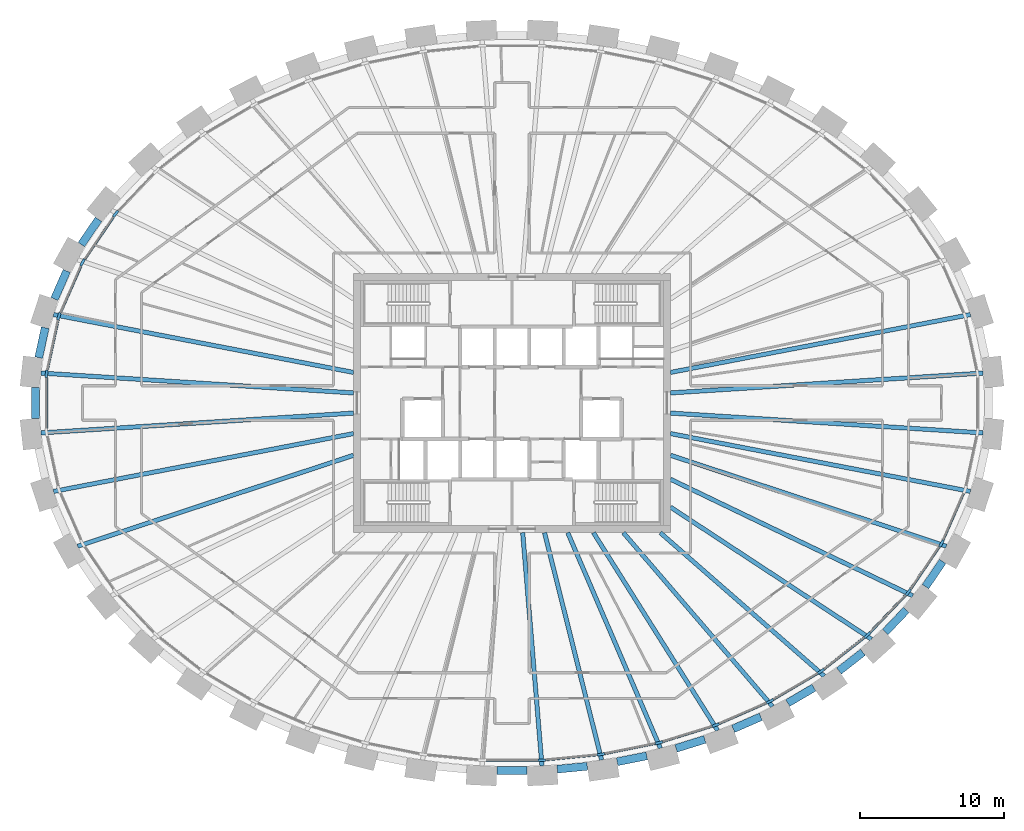
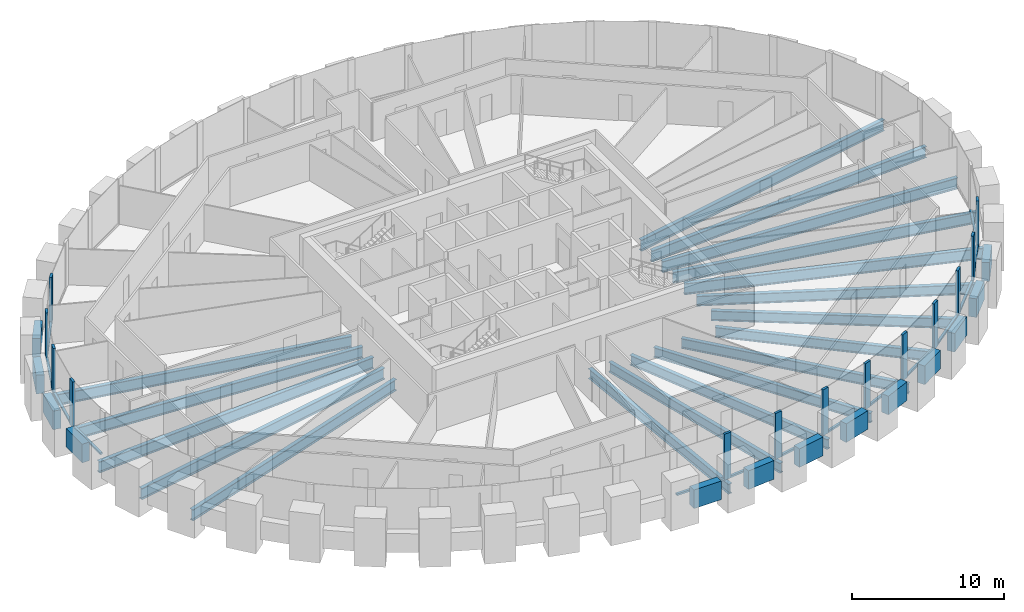
# One storey, part 2 of 12: 31 beams, 27 members, 1 element without a shape of its own.
"""IFC4 building model written with IfcOpenShell, lengths in metres."""

from ifc_helpers import new_model, si_unit, direction, frame, origin, origin_2d, place, context, subcontext, project, spatial, rectangle, i_section, extrude, source, transform, mapped, material, material_profile, profile_set, type_object, element, aggregate, save


model = new_model("IFC4")

# Units and contexts
model_context = context("Model", 3, precision=1e-05, world=origin(), true_north=direction((0.0, 1.0)))
body_context = subcontext(model_context, "Body", "Model", "MODEL_VIEW")
ifc_project = project(units=[si_unit("LENGTHUNIT", "METRE"), si_unit("AREAUNIT", "SQUARE_METRE"), si_unit("VOLUMEUNIT", "CUBIC_METRE"), si_unit("PLANEANGLEUNIT", "RADIAN"), si_unit("MASSUNIT", "GRAM", prefix="KILO")], contexts=[model_context])

# Site, building, storey
site_placement = place(None, origin())
site = spatial("IfcSite", under=ifc_project, at=site_placement, CompositionType="ELEMENT")
building_placement = place(site_placement, origin())
building = spatial("IfcBuilding", under=site, at=building_placement, Name="Embergate Tower", CompositionType="ELEMENT")
storey_placement = place(building_placement, frame((0.0, 0.0, 246.10009765625)))
storey = spatial("IfcBuildingStorey", under=building, at=storey_placement, Name="L56", CompositionType="ELEMENT", Elevation=246.10009765625)

# Beams
ifc_material_1 = material(Name="Concrete C60", Category="concrete")
ifc_material_profile_1 = material_profile(ifc_material_1, rectangle(XDim=0.550048828125, YDim=1.5, at=origin_2d()), Name="RC 550x1500")
ifc_profile_set_1 = profile_set([ifc_material_profile_1], Name="Concrete C60")
beam_type_1 = type_object("IfcBeamType", Name="Spandrel beam RC 550x1500 C60", PredefinedType="BEAM", material=ifc_profile_set_1)
shared_shape_1 = source(origin(), body_context, "Body", "SweptSolid", [
    extrude(rectangle(XDim=0.550048828125, YDim=1.5, at=origin_2d()), origin(), (0.0, 0.0, 1.0), 2.121337890625),
])
beam_1_placement = place(storey_placement, frame((-32.39990234375, 5.222900390625, 0.0), z_axis=(-0.210259959119, -0.977645513257, 0.0), x_axis=(0.977645513257, -0.210259959119, 0.0)))
element("IfcBeam", 1, at=beam_1_placement, inside=storey, type_object=beam_type_1, Name="SPN-L56-20", PredefinedType="BEAM", context=body_context, shape_type="MappedRepresentation", body=[
    mapped(shared_shape_1, transform((0.0, 0.0, 0.0))),
])
shared_shape_2 = source(origin(), body_context, "Body", "SweptSolid", [
    extrude(rectangle(XDim=0.550048828125, YDim=1.5, at=origin_2d()), origin(), (0.0, 0.0, 1.0), 2.118408203125),
])
beam_2_placement = place(storey_placement, frame((-30.903076171875, 9.160888671875, 0.0), z_axis=(-0.401653016285, -0.915791927519, 0.0), x_axis=(0.915791927519, -0.401653016285, 0.0)))
element("IfcBeam", 2, at=beam_2_placement, inside=storey, type_object=beam_type_1, Name="SPN-L56-19", PredefinedType="BEAM", context=body_context, shape_type="MappedRepresentation", body=[
    mapped(shared_shape_2, transform((0.0, 0.0, 0.0))),
])
shared_shape_3 = source(origin(), body_context, "Body", "SweptSolid", [
    extrude(rectangle(XDim=0.550048828125, YDim=1.5, at=origin_2d()), origin(), (0.0, 0.0, 1.0), 2.113525390625),
])
for number, where, z_axis, x_axis, name in (
    (3, (-28.697998046875, 12.74609375, 0.0), (-0.562088832066, -0.827076867569, 0.0), (0.827076867569, -0.562088832066, 0.0), "SPN-L56-18"),
    (4, (28.697998046875, -12.74609375, 0.0), (0.562088832066, 0.827076867569, 0.0), (-0.827076867569, 0.562088832066, 0.0), "SPN-L56-40"),
):
    element("IfcBeam", number, at=place(storey_placement, frame(where, z_axis=z_axis, x_axis=x_axis)), inside=storey, type_object=beam_type_1, Name=name, PredefinedType="BEAM", context=body_context, shape_type="MappedRepresentation", body=[
        mapped(shared_shape_3, transform((0.0, 0.0, 0.0))),
    ])
shared_shape_4 = source(origin(), body_context, "Body", "SweptSolid", [
    extrude(rectangle(XDim=0.550048828125, YDim=1.5, at=origin_2d()), origin(), (0.0, 0.0, 1.0), 2.1064453125),
])
beam_3_placement = place(storey_placement, frame((25.907958984375, -15.89111328125, 0.0), z_axis=(0.690280012813, 0.723542330421, 0.0), x_axis=(-0.723542330421, 0.690280012813, 0.0)))
element("IfcBeam", 5, at=beam_3_placement, inside=storey, type_object=beam_type_1, Name="SPN-L56-39", PredefinedType="BEAM", context=body_context, shape_type="MappedRepresentation", body=[
    mapped(shared_shape_4, transform((0.0, 0.0, 0.0))),
])
shared_shape_5 = source(origin(), body_context, "Body", "SweptSolid", [
    extrude(rectangle(XDim=0.550048828125, YDim=1.5, at=origin_2d()), origin(), (0.0, 0.0, 1.0), 2.101806640625),
])
beam_4_placement = place(storey_placement, frame((22.695068359375, -18.593994140625, 0.0), z_axis=(0.78838173926, 0.615186340227, 0.0), x_axis=(-0.615186340227, 0.78838173926, 0.0)))
element("IfcBeam", 6, at=beam_4_placement, inside=storey, type_object=beam_type_1, Name="SPN-L56-38", PredefinedType="BEAM", context=body_context, shape_type="MappedRepresentation", body=[
    mapped(shared_shape_5, transform((0.0, 0.0, 0.0))),
])
shared_shape_6 = source(origin(), body_context, "Body", "SweptSolid", [
    extrude(rectangle(XDim=0.550048828125, YDim=1.5, at=origin_2d()), origin(), (0.0, 0.0, 1.0), 2.097412109375),
])
beam_5_placement = place(storey_placement, frame((19.138916015625, -20.821044921875, 0.0), z_axis=(0.862059864985, 0.506806461267, 0.0), x_axis=(-0.506806461267, 0.862059864985, 0.0)))
element("IfcBeam", 7, at=beam_5_placement, inside=storey, type_object=beam_type_1, Name="SPN-L56-37", PredefinedType="BEAM", context=body_context, shape_type="MappedRepresentation", body=[
    mapped(shared_shape_6, transform((0.0, 0.0, 0.0))),
])
shared_shape_7 = source(origin(), body_context, "Body", "SweptSolid", [
    extrude(rectangle(XDim=0.550048828125, YDim=1.5, at=origin_2d()), origin(), (0.0, 0.0, 1.0), 2.093994140625),
])
beam_6_placement = place(storey_placement, frame((15.35009765625, -22.614013671875, 0.0), z_axis=(0.916403340616, 0.400256064674, 0.0), x_axis=(-0.400256064674, 0.916403340616, 0.0)))
element("IfcBeam", 8, at=beam_6_placement, inside=storey, type_object=beam_type_1, Name="SPN-L56-36", PredefinedType="BEAM", context=body_context, shape_type="MappedRepresentation", body=[
    mapped(shared_shape_7, transform((0.0, 0.0, 0.0))),
])
shared_shape_8 = source(origin(), body_context, "Body", "SweptSolid", [
    extrude(rectangle(XDim=0.550048828125, YDim=1.5, at=origin_2d()), origin(), (0.0, 0.0, 1.0), 2.092529296875),
])
beam_7_placement = place(storey_placement, frame((11.385009765625, -23.969970703125, 0.0), z_axis=(0.954794982035, 0.297265104378, 0.0), x_axis=(-0.297265104378, 0.954794982035, 0.0)))
element("IfcBeam", 9, at=beam_7_placement, inside=storey, type_object=beam_type_1, Name="SPN-L56-35", PredefinedType="BEAM", context=body_context, shape_type="MappedRepresentation", body=[
    mapped(shared_shape_8, transform((0.0, 0.0, 0.0))),
])
shared_shape_9 = source(origin(), body_context, "Body", "SweptSolid", [
    extrude(rectangle(XDim=0.550048828125, YDim=1.5, at=origin_2d()), origin(), (0.0, 0.0, 1.0), 2.0908203125),
])
beam_8_placement = place(storey_placement, frame((7.300048828125, -24.90087890625, 0.0), z_axis=(0.980499753095, 0.196520314929, 0.0), x_axis=(-0.196520314929, 0.980499753095, 0.0)))
element("IfcBeam", 10, at=beam_8_placement, inside=storey, type_object=beam_type_1, Name="SPN-L56-34", PredefinedType="BEAM", context=body_context, shape_type="MappedRepresentation", body=[
    mapped(shared_shape_9, transform((0.0, 0.0, 0.0))),
])
shared_shape_10 = source(origin(), body_context, "Body", "SweptSolid", [
    extrude(rectangle(XDim=0.550048828125, YDim=1.5, at=origin_2d()), origin(), (0.0, 0.0, 1.0), 2.08984375),
])
for number, where, z_axis, x_axis, name in (
    (11, (-1.044921875, -25.51806640625, 0.0), (1.0, 0.0, 0.0), (0.0, 1.0, 0.0), "SPN-L56-32"),
    (12, (3.14306640625, -25.4150390625, 0.0), (0.995219400888, 0.097664446431, 0.0), (-0.097664446431, 0.995219400888, 0.0), "SPN-L56-33"),
):
    element("IfcBeam", number, at=place(storey_placement, frame(where, z_axis=z_axis, x_axis=x_axis)), inside=storey, type_object=beam_type_1, Name=name, PredefinedType="BEAM", context=body_context, shape_type="MappedRepresentation", body=[
        mapped(shared_shape_10, transform((0.0, 0.0, 0.0))),
    ])
shared_shape_11 = source(origin(), body_context, "Body", "SweptSolid", [
    extrude(rectangle(XDim=0.550048828125, YDim=1.5, at=origin_2d()), origin(), (0.0, 0.0, 1.0), 2.1220703125),
])
beam_9_placement = place(storey_placement, frame((-33.068115234375, 1.06103515625, 0.0), z_axis=(0.0, -1.0, 0.0), x_axis=(1.0, 0.0, 0.0)))
element("IfcBeam", 13, at=beam_9_placement, inside=storey, type_object=beam_type_1, Name="SPN-L56-21", PredefinedType="BEAM", context=body_context, shape_type="MappedRepresentation", body=[
    mapped(shared_shape_11, transform((0.0, 0.0, 0.0))),
])
ifc_material_2 = material(Name="Steel Q355B", Category="steel")
ifc_material_profile_2 = material_profile(ifc_material_2, i_section(OverallWidth=0.300048828125, OverallDepth=0.89990234375, WebThickness=0.01611328125, FlangeThickness=0.028076171875, FilletRadius=0.028076171875, at=origin_2d()), Name="HN 900x300x16x28")
ifc_profile_set_2 = profile_set([ifc_material_profile_2], Name="Steel Q355 grade B")
beam_type_2 = type_object("IfcBeamType", Name="Radial girder HN 900x300x16x28", PredefinedType="BEAM", material=ifc_profile_set_2)
shared_shape_12 = source(origin(), body_context, "Body", "SweptSolid", [
    extrude(i_section(OverallWidth=0.300048828125, OverallDepth=0.89990234375, WebThickness=0.01611328125, FlangeThickness=0.028076171875, FilletRadius=0.028076171875, at=origin_2d()), origin(), (0.0, 0.0, 1.0), 21.73681640625),
])
for number, where, z_axis, x_axis, name in (
    (14, (32.693115234375, 2.076904296875, -0.650146484375), (-0.997988738626, -0.063391462954, 0.0), (0.063391462954, -0.997988738626, 0.0), "GIR-L56-00"),
    (15, (-32.693115234375, 2.076904296875, -0.650146484375), (0.997988738626, -0.063391462954, 0.0), (0.063391462954, 0.997988738626, 0.0), "GIR-L56-21"),
    (16, (-32.693115234375, -2.076904296875, -0.650146484375), (0.997988738626, 0.063391462954, 0.0), (-0.063391462954, 0.997988738626, 0.0), "GIR-L56-22"),
    (17, (32.693115234375, -2.076904296875, -0.650146484375), (-0.997988738626, 0.063391462954, 0.0), (-0.063391462954, -0.997988738626, 0.0), "GIR-L56-43"),
):
    element("IfcBeam", number, at=place(storey_placement, frame(where, z_axis=z_axis, x_axis=x_axis)), inside=storey, type_object=beam_type_2, Name=name, PredefinedType="BEAM", context=body_context, shape_type="MappedRepresentation", body=[
        mapped(shared_shape_12, transform((0.0, 0.0, 0.0))),
    ])
shared_shape_13 = source(origin(), body_context, "Body", "SweptSolid", [
    extrude(i_section(OverallWidth=0.300048828125, OverallDepth=0.89990234375, WebThickness=0.01611328125, FlangeThickness=0.028076171875, FilletRadius=0.028076171875, at=origin_2d()), origin(), (0.0, 0.0, 1.0), 21.202880859375),
])
for number, where, z_axis, x_axis, name in (
    (18, (31.819091796875, 6.137939453125, -0.650146484375), (-0.981899604509, -0.189402129517, 0.0), (0.189402129517, -0.981899604509, 0.0), "GIR-L56-01"),
    (19, (-31.819091796875, 6.137939453125, -0.650146484375), (0.981899604509, -0.189402129517, 0.0), (0.189402129517, 0.981899604509, 0.0), "GIR-L56-20"),
    (20, (-31.819091796875, -6.137939453125, -0.650146484375), (0.981899604509, 0.189402129517, 0.0), (-0.189402129517, 0.981899604509, 0.0), "GIR-L56-23"),
    (21, (31.819091796875, -6.137939453125, -0.650146484375), (-0.981899604509, 0.189402129517, 0.0), (-0.189402129517, -0.981899604509, 0.0), "GIR-L56-42"),
):
    element("IfcBeam", number, at=place(storey_placement, frame(where, z_axis=z_axis, x_axis=x_axis)), inside=storey, type_object=beam_type_2, Name=name, PredefinedType="BEAM", context=body_context, shape_type="MappedRepresentation", body=[
        mapped(shared_shape_13, transform((0.0, 0.0, 0.0))),
    ])
shared_shape_14 = source(origin(), body_context, "Body", "SweptSolid", [
    extrude(i_section(OverallWidth=0.300048828125, OverallDepth=0.89990234375, WebThickness=0.01611328125, FlangeThickness=0.028076171875, FilletRadius=0.028076171875, at=origin_2d()), origin(), (0.0, 0.0, 1.0), 20.164306640625),
])
for number, where, z_axis, x_axis, name in (
    (22, (-30.14990234375, -9.943115234375, -0.650146484375), (0.949691828374, 0.313185936976, 0.0), (-0.313185936976, 0.949691828374, 0.0), "GIR-L56-24"),
    (23, (30.14990234375, -9.943115234375, -0.650146484375), (-0.949691828374, 0.313185936976, 0.0), (-0.313185936976, -0.949691828374, 0.0), "GIR-L56-41"),
):
    element("IfcBeam", number, at=place(storey_placement, frame(where, z_axis=z_axis, x_axis=x_axis)), inside=storey, type_object=beam_type_2, Name=name, PredefinedType="BEAM", context=body_context, shape_type="MappedRepresentation", body=[
        mapped(shared_shape_14, transform((0.0, 0.0, 0.0))),
    ])
ifc_material_profile_3 = material_profile(ifc_material_2, i_section(OverallWidth=0.300048828125, OverallDepth=0.800048828125, WebThickness=0.013916015625, FlangeThickness=0.02587890625, FilletRadius=0.028076171875, at=origin_2d()), Name="HN 800x300x14x26")
ifc_profile_set_3 = profile_set([ifc_material_profile_3], Name="Steel Q355 grade B")
beam_type_3 = type_object("IfcBeamType", Name="Radial girder HN 800x300x14x26", PredefinedType="BEAM", material=ifc_profile_set_3)
shared_shape_15 = source(origin(), body_context, "Body", "SweptSolid", [
    extrude(i_section(OverallWidth=0.300048828125, OverallDepth=0.800048828125, WebThickness=0.013916015625, FlangeThickness=0.02587890625, FilletRadius=0.028076171875, at=origin_2d()), origin(), (0.0, 0.0, 1.0), 18.6572265625),
])
beam_10_placement = place(storey_placement, frame((27.81298828125, -13.3798828125, -0.60009765625), z_axis=(-0.901153541631, 0.433500051218, 0.0), x_axis=(-0.433500051218, -0.901153541631, 0.0)))
element("IfcBeam", 24, at=beam_10_placement, inside=storey, type_object=beam_type_3, Name="GIR-L56-40", PredefinedType="BEAM", context=body_context, shape_type="MappedRepresentation", body=[
    mapped(shared_shape_15, transform((0.0, 0.0, 0.0))),
])
shared_shape_16 = source(origin(), body_context, "Body", "SweptSolid", [
    extrude(i_section(OverallWidth=0.300048828125, OverallDepth=0.800048828125, WebThickness=0.013916015625, FlangeThickness=0.02587890625, FilletRadius=0.028076171875, at=origin_2d()), origin(), (0.0, 0.0, 1.0), 16.683349609375),
])
beam_11_placement = place(storey_placement, frame((24.943115234375, -16.387939453125, -0.60009765625), z_axis=(-0.835753065735, 0.549105466295, 0.0), x_axis=(-0.549105466295, -0.835753065735, 0.0)))
element("IfcBeam", 25, at=beam_11_placement, inside=storey, type_object=beam_type_3, Name="GIR-L56-39", PredefinedType="BEAM", context=body_context, shape_type="MappedRepresentation", body=[
    mapped(shared_shape_16, transform((0.0, 0.0, 0.0))),
])
shared_shape_17 = source(origin(), body_context, "Body", "SweptSolid", [
    extrude(i_section(OverallWidth=0.300048828125, OverallDepth=0.800048828125, WebThickness=0.013916015625, FlangeThickness=0.02587890625, FilletRadius=0.028076171875, at=origin_2d()), origin(), (0.0, 0.0, 1.0), 15.11083984375),
])
beam_12_placement = place(storey_placement, frame((21.666015625, -18.947021484375, -0.60009765625), z_axis=(-0.752776832469, 0.658275808836, 0.0), x_axis=(-0.658275808836, -0.752776832469, 0.0)))
element("IfcBeam", 26, at=beam_12_placement, inside=storey, type_object=beam_type_3, Name="GIR-L56-38", PredefinedType="BEAM", context=body_context, shape_type="MappedRepresentation", body=[
    mapped(shared_shape_17, transform((0.0, 0.0, 0.0))),
])
shared_shape_18 = source(origin(), body_context, "Body", "SweptSolid", [
    extrude(i_section(OverallWidth=0.300048828125, OverallDepth=0.800048828125, WebThickness=0.013916015625, FlangeThickness=0.02587890625, FilletRadius=0.028076171875, at=origin_2d()), origin(), (0.0, 0.0, 1.0), 15.889892578125),
])
beam_13_placement = place(storey_placement, frame((18.080078125, -21.054931640625, -0.60009765625), z_axis=(-0.651489554498, 0.75865760418, 0.0), x_axis=(-0.75865760418, -0.651489554498, 0.0)))
element("IfcBeam", 27, at=beam_13_placement, inside=storey, type_object=beam_type_3, Name="GIR-L56-37", PredefinedType="BEAM", context=body_context, shape_type="MappedRepresentation", body=[
    mapped(shared_shape_18, transform((0.0, 0.0, 0.0))),
])
shared_shape_19 = source(origin(), body_context, "Body", "SweptSolid", [
    extrude(i_section(OverallWidth=0.300048828125, OverallDepth=0.800048828125, WebThickness=0.013916015625, FlangeThickness=0.02587890625, FilletRadius=0.028076171875, at=origin_2d()), origin(), (0.0, 0.0, 1.0), 16.202880859375),
])
beam_14_placement = place(storey_placement, frame((14.27001953125, -22.720947265625, -0.60009765625), z_axis=(-0.531876197459, 0.84682212452, 0.0), x_axis=(-0.84682212452, -0.531876197459, 0.0)))
element("IfcBeam", 28, at=beam_14_placement, inside=storey, type_object=beam_type_3, Name="GIR-L56-36", PredefinedType="BEAM", context=body_context, shape_type="MappedRepresentation", body=[
    mapped(shared_shape_19, transform((0.0, 0.0, 0.0))),
])
shared_shape_20 = source(origin(), body_context, "Body", "SweptSolid", [
    extrude(i_section(OverallWidth=0.300048828125, OverallDepth=0.800048828125, WebThickness=0.013916015625, FlangeThickness=0.02587890625, FilletRadius=0.028076171875, at=origin_2d()), origin(), (0.0, 0.0, 1.0), 16.281494140625),
])
beam_15_placement = place(storey_placement, frame((10.299072265625, -23.9580078125, -0.60009765625), z_axis=(-0.394936126448, 0.918708580577, 0.0), x_axis=(-0.918708580577, -0.394936126448, 0.0)))
element("IfcBeam", 29, at=beam_15_placement, inside=storey, type_object=beam_type_3, Name="GIR-L56-35", PredefinedType="BEAM", context=body_context, shape_type="MappedRepresentation", body=[
    mapped(shared_shape_20, transform((0.0, 0.0, 0.0))),
])
shared_shape_21 = source(origin(), body_context, "Body", "SweptSolid", [
    extrude(i_section(OverallWidth=0.300048828125, OverallDepth=0.800048828125, WebThickness=0.013916015625, FlangeThickness=0.02587890625, FilletRadius=0.028076171875, at=origin_2d()), origin(), (0.0, 0.0, 1.0), 16.265625),
])
beam_16_placement = place(storey_placement, frame((6.219970703125, -24.77587890625, -0.60009765625), z_axis=(-0.243517311552, 0.969896550656, 0.0), x_axis=(-0.969896550656, -0.243517311552, 0.0)))
element("IfcBeam", 30, at=beam_16_placement, inside=storey, type_object=beam_type_3, Name="GIR-L56-34", PredefinedType="BEAM", context=body_context, shape_type="MappedRepresentation", body=[
    mapped(shared_shape_21, transform((0.0, 0.0, 0.0))),
])
shared_shape_22 = source(origin(), body_context, "Body", "SweptSolid", [
    extrude(i_section(OverallWidth=0.300048828125, OverallDepth=0.800048828125, WebThickness=0.013916015625, FlangeThickness=0.02587890625, FilletRadius=0.028076171875, at=origin_2d()), origin(), (0.0, 0.0, 1.0), 16.23828125),
])
beam_17_placement = place(storey_placement, frame((2.080078125, -25.18310546875, -0.60009765625), z_axis=(-0.082346180741, 0.996603786124, 0.0), x_axis=(-0.996603786124, -0.082346180741, 0.0)))
element("IfcBeam", 31, at=beam_17_placement, inside=storey, type_object=beam_type_3, Name="GIR-L56-33", PredefinedType="BEAM", context=body_context, shape_type="MappedRepresentation", body=[
    mapped(shared_shape_22, transform((0.0, 0.0, 0.0))),
])

# Curtain wall, members
ifc_material_3 = material(Name="Aluminium and glass", Category="aluminium")
curtain_wall_type = type_object("IfcCurtainWallType", Name="Recessed office glazing", PredefinedType="NOTDEFINED", material=ifc_material_3)
curtain_wall_placement = place(storey_placement, origin())
curtain_wall = element("IfcCurtainWall", 32, at=curtain_wall_placement, inside=storey, type_object=curtain_wall_type, Name="Recessed office glazing ring", ObjectType="RECESSED OFFICE GLAZING", PredefinedType="USERDEFINED")
ifc_material_4 = material(Name="Aluminium, thermally broken", Category="aluminium")
ifc_material_profile_4 = material_profile(ifc_material_4, rectangle(XDim=0.179931640625, YDim=0.52001953125, at=origin_2d()), Name="AL 520x180")
ifc_profile_set_4 = profile_set([ifc_material_profile_4], Name="Aluminium, thermally broken")
member_type_1 = type_object("IfcMemberType", Name="Office mullion", PredefinedType="MULLION", material=ifc_profile_set_4)
shared_shape_23 = source(origin(), body_context, "Body", "SweptSolid", [
    extrude(rectangle(XDim=0.179931640625, YDim=0.52001953125, at=origin_2d()), origin(), (0.0, 0.0, 1.0), 3.699951171875),
])
member_1_placement = place(storey_placement, frame((-27.51025390625, 13.134033203125, 0.0), z_axis=(0.0, 0.0, 1.0), x_axis=(0.777868177123, -0.628427481114, 0.0)))
member_1 = element("IfcMember", 33, at=member_1_placement, type_object=member_type_1, Name="CW mullion 19", PredefinedType="MULLION", context=body_context, shape_type="MappedRepresentation", body=[
    mapped(shared_shape_23, transform((0.0, 0.0, 0.0))),
])
member_2_placement = place(storey_placement, frame((-29.809326171875, 9.753173828125, 0.0), z_axis=(0.0, 0.0, 1.0), x_axis=(0.874997671059, -0.484127127562, 0.0)))
member_2 = element("IfcMember", 34, at=member_2_placement, type_object=member_type_1, Name="CW mullion 20", PredefinedType="MULLION", context=body_context, shape_type="MappedRepresentation", body=[
    mapped(shared_shape_23, transform((0.0, 0.0, 0.0))),
])
member_3_placement = place(storey_placement, frame((-31.447998046875, 6.01708984375, 0.0), z_axis=(0.0, 0.0, 1.0), x_axis=(0.951495650128, -0.307662197527, 0.0)))
member_3 = element("IfcMember", 35, at=member_3_placement, type_object=member_type_1, Name="CW mullion 21", PredefinedType="MULLION", context=body_context, shape_type="MappedRepresentation", body=[
    mapped(shared_shape_23, transform((0.0, 0.0, 0.0))),
])
member_4_placement = place(storey_placement, frame((-32.304931640625, 2.03515625, 0.0), z_axis=(0.0, 0.0, 1.0), x_axis=(0.994384585337, -0.105826728403, 0.0)))
member_4 = element("IfcMember", 36, at=member_4_placement, type_object=member_type_1, Name="CW mullion 22", PredefinedType="MULLION", context=body_context, shape_type="MappedRepresentation", body=[
    mapped(shared_shape_23, transform((0.0, 0.0, 0.0))),
])
member_5_placement = place(storey_placement, frame((2.060791015625, -24.793701171875, 0.0), z_axis=(0.0, 0.0, 1.0), x_axis=(-0.048971796621, 0.998800161762, 0.0)))
member_5 = element("IfcMember", 37, at=member_5_placement, type_object=member_type_1, Name="CW mullion 34", PredefinedType="MULLION", context=body_context, shape_type="MappedRepresentation", body=[
    mapped(shared_shape_23, transform((0.0, 0.0, 0.0))),
])
member_6_placement = place(storey_placement, frame((6.16259765625, -24.390380859375, 0.0), z_axis=(0.0, 0.0, 1.0), x_axis=(-0.147412382818, 0.989075118174, 0.0)))
member_6 = element("IfcMember", 38, at=member_6_placement, type_object=member_type_1, Name="CW mullion 35", PredefinedType="MULLION", context=body_context, shape_type="MappedRepresentation", body=[
    mapped(shared_shape_23, transform((0.0, 0.0, 0.0))),
])
member_7_placement = place(storey_placement, frame((10.2021484375, -23.580322265625, 0.0), z_axis=(0.0, 0.0, 1.0), x_axis=(-0.24731188137, 0.968935928394, 0.0)))
member_7 = element("IfcMember", 39, at=member_7_placement, type_object=member_type_1, Name="CW mullion 36", PredefinedType="MULLION", context=body_context, shape_type="MappedRepresentation", body=[
    mapped(shared_shape_23, transform((0.0, 0.0, 0.0))),
])
member_8_placement = place(storey_placement, frame((14.1337890625, -22.35595703125, 0.0), z_axis=(0.0, 0.0, 1.0), x_axis=(-0.349502682851, 0.936935363128, 0.0)))
member_8 = element("IfcMember", 40, at=member_8_placement, type_object=member_type_1, Name="CW mullion 37", PredefinedType="MULLION", context=body_context, shape_type="MappedRepresentation", body=[
    mapped(shared_shape_23, transform((0.0, 0.0, 0.0))),
])
member_9_placement = place(storey_placement, frame((17.904052734375, -20.707275390625, 0.0), z_axis=(0.0, 0.0, 1.0), x_axis=(-0.454509825889, 0.890741723605, 0.0)))
member_9 = element("IfcMember", 41, at=member_9_placement, type_object=member_type_1, Name="CW mullion 38", PredefinedType="MULLION", context=body_context, shape_type="MappedRepresentation", body=[
    mapped(shared_shape_23, transform((0.0, 0.0, 0.0))),
])
member_10_placement = place(storey_placement, frame((21.447265625, -18.624267578125, 0.0), z_axis=(0.0, 0.0, 1.0), x_axis=(-0.562214731803, 0.826991290972, 0.0)))
member_10 = element("IfcMember", 42, at=member_10_placement, type_object=member_type_1, Name="CW mullion 39", PredefinedType="MULLION", context=body_context, shape_type="MappedRepresentation", body=[
    mapped(shared_shape_23, transform((0.0, 0.0, 0.0))),
])
member_11_placement = place(storey_placement, frame((24.682861328125, -16.098876953125, 0.0), z_axis=(0.0, 0.0, 1.0), x_axis=(-0.671223946494, 0.741254621337, 0.0)))
member_11 = element("IfcMember", 43, at=member_11_placement, type_object=member_type_1, Name="CW mullion 40", PredefinedType="MULLION", context=body_context, shape_type="MappedRepresentation", body=[
    mapped(shared_shape_23, transform((0.0, 0.0, 0.0))),
])
member_12_placement = place(storey_placement, frame((27.51025390625, -13.134033203125, 0.0), z_axis=(0.0, 0.0, 1.0), x_axis=(-0.777868177123, 0.628427481114, 0.0)))
member_12 = element("IfcMember", 44, at=member_12_placement, type_object=member_type_1, Name="CW mullion 41", PredefinedType="MULLION", context=body_context, shape_type="MappedRepresentation", body=[
    mapped(shared_shape_23, transform((0.0, 0.0, 0.0))),
])
member_13_placement = place(storey_placement, frame((29.809326171875, -9.753173828125, 0.0), z_axis=(0.0, 0.0, 1.0), x_axis=(-0.874997671059, 0.484127127562, 0.0)))
member_13 = element("IfcMember", 45, at=member_13_placement, type_object=member_type_1, Name="CW mullion 42", PredefinedType="MULLION", context=body_context, shape_type="MappedRepresentation", body=[
    mapped(shared_shape_23, transform((0.0, 0.0, 0.0))),
])
ifc_material_profile_5 = material_profile(ifc_material_4, rectangle(XDim=0.179931640625, YDim=0.14990234375, at=origin_2d()), Name="AL 150x180")
ifc_profile_set_5 = profile_set([ifc_material_profile_5], Name="Aluminium, thermally broken")
member_type_2 = type_object("IfcMemberType", Name="Office sill transom", PredefinedType="USERDEFINED", material=ifc_profile_set_5)
shared_shape_24 = source(origin(), body_context, "Body", "SweptSolid", [
    extrude(rectangle(XDim=0.179931640625, YDim=0.14990234375, at=origin_2d()), origin(), (0.0, 0.0, 1.0), 3.552978515625),
])
member_14_placement = place(storey_placement, frame((-31.502685546875, 5.7626953125, 0.074951171875), z_axis=(-0.210406550267, -0.977613974739, 0.0), x_axis=(0.977613974739, -0.210406550267, 0.0)))
member_14 = element("IfcMember", 46, at=member_14_placement, type_object=member_type_2, Name="CW transom 21.1", ObjectType="TRANSOM", PredefinedType="USERDEFINED", context=body_context, shape_type="MappedRepresentation", body=[
    mapped(shared_shape_24, transform((0.0, 0.0, 0.0))),
])
shared_shape_25 = source(origin(), body_context, "Body", "SweptSolid", [
    extrude(rectangle(XDim=0.179931640625, YDim=0.14990234375, at=origin_2d()), origin(), (0.0, 0.0, 1.0), 3.559814453125),
])
member_15_placement = place(storey_placement, frame((-29.913818359375, 9.51513671875, 0.074951171875), z_axis=(-0.401628194201, -0.915802813723, 0.0), x_axis=(0.915802813723, -0.401628194201, 0.0)))
member_15 = element("IfcMember", 47, at=member_15_placement, type_object=member_type_2, Name="CW transom 20.1", ObjectType="TRANSOM", PredefinedType="USERDEFINED", context=body_context, shape_type="MappedRepresentation", body=[
    mapped(shared_shape_25, transform((0.0, 0.0, 0.0))),
])
member_16_placement = place(storey_placement, frame((29.913818359375, -9.51513671875, 0.074951171875), z_axis=(0.401628194201, 0.915802813723, 0.0), x_axis=(-0.915802813723, 0.401628194201, 0.0)))
member_16 = element("IfcMember", 48, at=member_16_placement, type_object=member_type_2, Name="CW transom 42.1", ObjectType="TRANSOM", PredefinedType="USERDEFINED", context=body_context, shape_type="MappedRepresentation", body=[
    mapped(shared_shape_25, transform((0.0, 0.0, 0.0))),
])
shared_shape_26 = source(origin(), body_context, "Body", "SweptSolid", [
    extrude(rectangle(XDim=0.179931640625, YDim=0.14990234375, at=origin_2d()), origin(), (0.0, 0.0, 1.0), 3.568359375),
])
member_17_placement = place(storey_placement, frame((-27.656494140625, 12.9189453125, 0.074951171875), z_axis=(-0.562334349522, -0.826909958428, 0.0), x_axis=(0.826909958428, -0.562334349522, 0.0)))
member_17 = element("IfcMember", 49, at=member_17_placement, type_object=member_type_2, Name="CW transom 19.1", ObjectType="TRANSOM", PredefinedType="USERDEFINED", context=body_context, shape_type="MappedRepresentation", body=[
    mapped(shared_shape_26, transform((0.0, 0.0, 0.0))),
])
member_18_placement = place(storey_placement, frame((27.656494140625, -12.9189453125, 0.074951171875), z_axis=(0.562334349522, 0.826909958428, 0.0), x_axis=(-0.826909958428, 0.562334349522, 0.0)))
member_18 = element("IfcMember", 50, at=member_18_placement, type_object=member_type_2, Name="CW transom 41.1", ObjectType="TRANSOM", PredefinedType="USERDEFINED", context=body_context, shape_type="MappedRepresentation", body=[
    mapped(shared_shape_26, transform((0.0, 0.0, 0.0))),
])
shared_shape_27 = source(origin(), body_context, "Body", "SweptSolid", [
    extrude(rectangle(XDim=0.179931640625, YDim=0.14990234375, at=origin_2d()), origin(), (0.0, 0.0, 1.0), 3.576904296875),
])
member_19_placement = place(storey_placement, frame((24.8623046875, -15.910888671875, 0.074951171875), z_axis=(0.69011690361, 0.72369790614, 0.0), x_axis=(-0.72369790614, 0.69011690361, 0.0)))
member_19 = element("IfcMember", 51, at=member_19_placement, type_object=member_type_2, Name="CW transom 40.1", ObjectType="TRANSOM", PredefinedType="USERDEFINED", context=body_context, shape_type="MappedRepresentation", body=[
    mapped(shared_shape_27, transform((0.0, 0.0, 0.0))),
])
shared_shape_28 = source(origin(), body_context, "Body", "SweptSolid", [
    extrude(rectangle(XDim=0.179931640625, YDim=0.14990234375, at=origin_2d()), origin(), (0.0, 0.0, 1.0), 3.58447265625),
])
member_20_placement = place(storey_placement, frame((21.652099609375, -18.464111328125, 0.074951171875), z_axis=(0.788327869744, 0.61525536957, 0.0), x_axis=(-0.61525536957, 0.788327869744, 0.0)))
member_20 = element("IfcMember", 52, at=member_20_placement, type_object=member_type_2, Name="CW transom 39.1", ObjectType="TRANSOM", PredefinedType="USERDEFINED", context=body_context, shape_type="MappedRepresentation", body=[
    mapped(shared_shape_28, transform((0.0, 0.0, 0.0))),
])
shared_shape_29 = source(origin(), body_context, "Body", "SweptSolid", [
    extrude(rectangle(XDim=0.179931640625, YDim=0.14990234375, at=origin_2d()), origin(), (0.0, 0.0, 1.0), 3.59033203125),
])
member_21_placement = place(storey_placement, frame((18.128173828125, -20.57568359375, 0.074951171875), z_axis=(0.862054810365, 0.506815058898, 0.0), x_axis=(-0.506815058898, 0.862054810365, 0.0)))
member_21 = element("IfcMember", 53, at=member_21_placement, type_object=member_type_2, Name="CW transom 38.1", ObjectType="TRANSOM", PredefinedType="USERDEFINED", context=body_context, shape_type="MappedRepresentation", body=[
    mapped(shared_shape_29, transform((0.0, 0.0, 0.0))),
])
shared_shape_30 = source(origin(), body_context, "Body", "SweptSolid", [
    extrude(rectangle(XDim=0.179931640625, YDim=0.14990234375, at=origin_2d()), origin(), (0.0, 0.0, 1.0), 3.594482421875),
])
member_22_placement = place(storey_placement, frame((14.372314453125, -22.251708984375, 0.074951171875), z_axis=(0.916229025025, 0.400654930958, 0.0), x_axis=(-0.400654930958, 0.916229025025, 0.0)))
member_22 = element("IfcMember", 54, at=member_22_placement, type_object=member_type_2, Name="CW transom 37.1", ObjectType="TRANSOM", PredefinedType="USERDEFINED", context=body_context, shape_type="MappedRepresentation", body=[
    mapped(shared_shape_30, transform((0.0, 0.0, 0.0))),
])
shared_shape_31 = source(origin(), body_context, "Body", "SweptSolid", [
    extrude(rectangle(XDim=0.179931640625, YDim=0.14990234375, at=origin_2d()), origin(), (0.0, 0.0, 1.0), 3.59814453125),
])
member_23_placement = place(storey_placement, frame((10.450439453125, -23.5029296875, 0.074951171875), z_axis=(0.954772906147, 0.297336001332, 0.0), x_axis=(-0.297336001332, 0.954772906147, 0.0)))
member_23 = element("IfcMember", 55, at=member_23_placement, type_object=member_type_2, Name="CW transom 36.1", ObjectType="TRANSOM", PredefinedType="USERDEFINED", context=body_context, shape_type="MappedRepresentation", body=[
    mapped(shared_shape_31, transform((0.0, 0.0, 0.0))),
])
shared_shape_32 = source(origin(), body_context, "Body", "SweptSolid", [
    extrude(rectangle(XDim=0.179931640625, YDim=0.14990234375, at=origin_2d()), origin(), (0.0, 0.0, 1.0), 3.60009765625),
])
member_24_placement = place(storey_placement, frame((6.41748046875, -24.33935546875, 0.074951171875), z_axis=(0.980470975214, 0.196663842033, 0.0), x_axis=(-0.196663842033, 0.980470975214, 0.0)))
member_24 = element("IfcMember", 56, at=member_24_placement, type_object=member_type_2, Name="CW transom 35.1", ObjectType="TRANSOM", PredefinedType="USERDEFINED", context=body_context, shape_type="MappedRepresentation", body=[
    mapped(shared_shape_32, transform((0.0, 0.0, 0.0))),
])
shared_shape_33 = source(origin(), body_context, "Body", "SweptSolid", [
    extrude(rectangle(XDim=0.179931640625, YDim=0.14990234375, at=origin_2d()), origin(), (0.0, 0.0, 1.0), 3.6015625),
])
member_25_placement = place(storey_placement, frame((-1.80078125, -24.793701171875, 0.074951171875), z_axis=(1.0, 0.0, 0.0), x_axis=(0.0, 1.0, 0.0)))
member_25 = element("IfcMember", 57, at=member_25_placement, type_object=member_type_2, Name="CW transom 33.1", ObjectType="TRANSOM", PredefinedType="USERDEFINED", context=body_context, shape_type="MappedRepresentation", body=[
    mapped(shared_shape_33, transform((0.0, 0.0, 0.0))),
])
member_26_placement = place(storey_placement, frame((2.319580078125, -24.768310546875, 0.074951171875), z_axis=(0.995204228817, 0.097818929377, 0.0), x_axis=(-0.097818929377, 0.995204228817, 0.0)))
member_26 = element("IfcMember", 58, at=member_26_placement, type_object=member_type_2, Name="CW transom 34.1", ObjectType="TRANSOM", PredefinedType="USERDEFINED", context=body_context, shape_type="MappedRepresentation", body=[
    mapped(shared_shape_33, transform((0.0, 0.0, 0.0))),
])
shared_shape_34 = source(origin(), body_context, "Body", "SweptSolid", [
    extrude(rectangle(XDim=0.179931640625, YDim=0.14990234375, at=origin_2d()), origin(), (0.0, 0.0, 1.0), 3.55029296875),
])
member_27_placement = place(storey_placement, frame((-32.304931640625, 1.775146484375, 0.074951171875), z_axis=(0.0, -1.0, 0.0), x_axis=(1.0, 0.0, 0.0)))
member_27 = element("IfcMember", 59, at=member_27_placement, type_object=member_type_2, Name="CW transom 22.1", ObjectType="TRANSOM", PredefinedType="USERDEFINED", context=body_context, shape_type="MappedRepresentation", body=[
    mapped(shared_shape_34, transform((0.0, 0.0, 0.0))),
])
aggregate(curtain_wall, [member_1, member_2, member_3, member_4, member_5, member_6, member_7, member_8, member_9, member_10, member_11, member_12, member_13, member_17, member_15, member_14, member_27, member_25, member_26, member_24, member_23, member_22, member_21, member_20, member_19, member_18, member_16])

save(model, "model.ifc")
